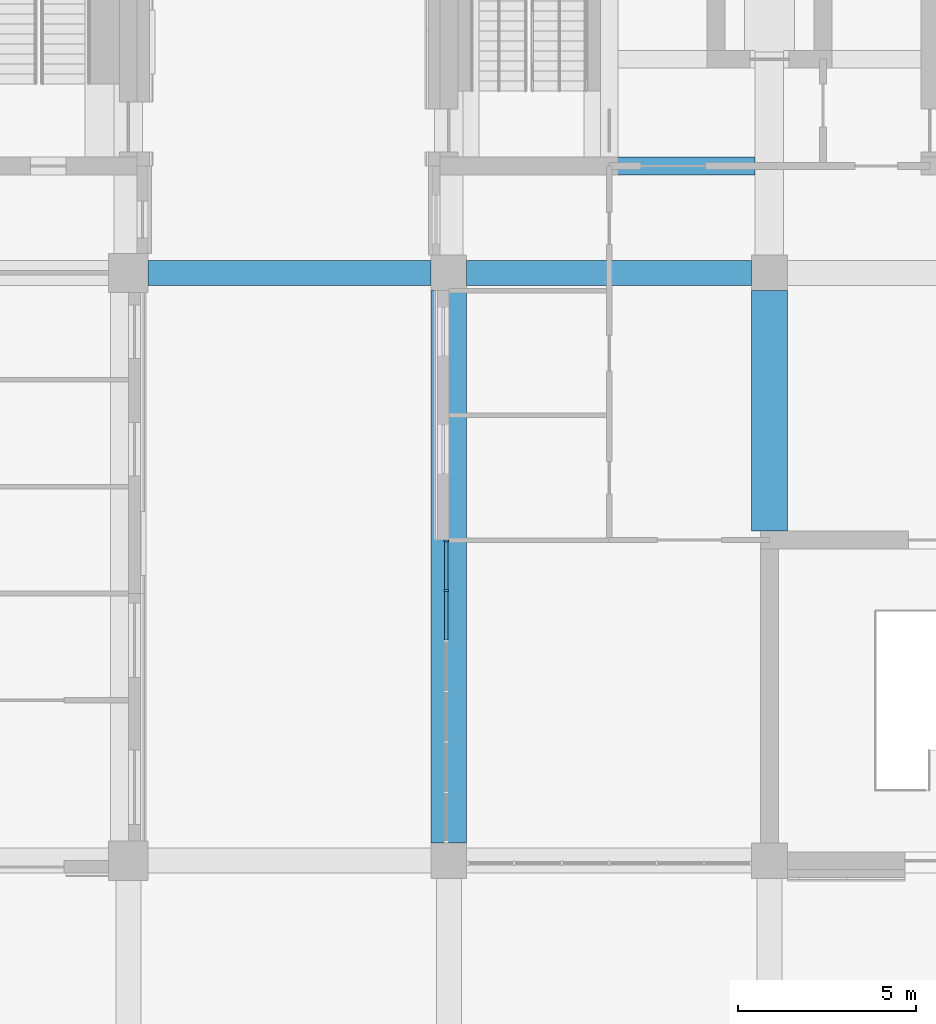
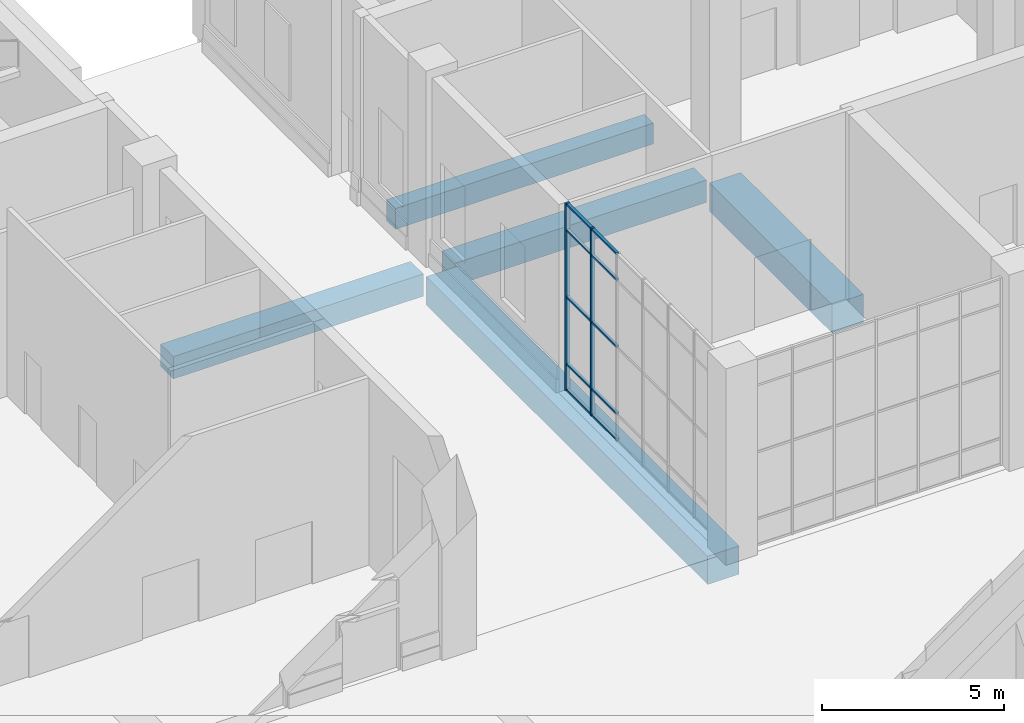
# One storey, part 4 of 35: 12 members, 5 beams, 1 element without a shape of its own.
"""IFC4 building model written with IfcOpenShell, lengths in metres."""

from ifc_helpers import new_model, si_unit, direction, frame, origin, origin_2d, place, context, subcontext, project, spatial, rectangle, extrude, material, layer, layer_set, material_profile, profile_set, type_object, element, aggregate, save


model = new_model("IFC4")

# Units and contexts
model_context = context("Model", 3, precision=1e-05, world=origin(), true_north=direction((0.0, 1.0)))
body_context = subcontext(model_context, "Body", "Model", "MODEL_VIEW")
ifc_project = project(units=[si_unit("LENGTHUNIT", "METRE"), si_unit("AREAUNIT", "SQUARE_METRE"), si_unit("VOLUMEUNIT", "CUBIC_METRE"), si_unit("PLANEANGLEUNIT", "RADIAN"), si_unit("MASSUNIT", "GRAM", prefix="KILO")], contexts=[model_context])

# Site, building, storey
site_placement = place(None, origin())
site = spatial("IfcSite", under=ifc_project, at=site_placement, CompositionType="ELEMENT")
building_placement = place(site_placement, origin())
building = spatial("IfcBuilding", under=site, at=building_placement, Name="Aurelan Courthouse", CompositionType="ELEMENT")
storey_placement = place(building_placement, origin())
storey = spatial("IfcBuildingStorey", under=building, at=storey_placement, Name="L00", CompositionType="ELEMENT", Elevation=0.0)

# Curtain wall, members
ifc_material_1 = material(Name="Bronze-finished aluminium and glass", Category="aluminium")
ifc_layer = layer(ifc_material_1, 0.14990234375)
ifc_layer_set = layer_set([ifc_layer], Name="Bronze-finished aluminium and glass")
curtain_wall_type = type_object("IfcCurtainWallType", Name="Curtain wall 8500 x 6300", PredefinedType="NOTDEFINED", material=ifc_layer_set)
curtain_wall_placement = place(storey_placement, origin())
curtain_wall = element("IfcCurtainWall", 1, at=curtain_wall_placement, inside=storey, type_object=curtain_wall_type, Name="Curtain wall CW-V3-L00-W01", PredefinedType="NOTDEFINED")
ifc_material_2 = material(Name="Bronze-finished aluminium", Category="aluminium")
ifc_material_profile_1 = material_profile(ifc_material_2, rectangle(XDim=0.125, YDim=0.06005859375, at=origin_2d()), Name="Bronze mullion 60 x 125")
ifc_profile_set_1 = profile_set([ifc_material_profile_1], Name="Bronze-finished aluminium")
member_type_1 = type_object("IfcMemberType", Name="Curtain wall mullion 60 x 125", PredefinedType="MULLION", material=ifc_profile_set_1)
member_1_placement = place(storey_placement, frame((71.925048828125, 45.083251953125, 0.0), z_axis=(0.0, 0.0, 1.0), x_axis=(-1.0, 0.0, 0.0)))
member_1 = element("IfcMember", 2, at=member_1_placement, type_object=member_type_1, Name="CW-V3-L00-W01 mullion 6", PredefinedType="MULLION", context=body_context, shape_type="SweptSolid", body=[
    extrude(rectangle(XDim=0.125, YDim=0.06005859375, at=origin_2d()), origin(), (0.0, 0.0, 1.0), 6.300048828125),
])
member_2_placement = place(storey_placement, frame((71.925048828125, 46.469970703125, 0.0), z_axis=(0.0, 0.0, 1.0), x_axis=(-1.0, 0.0, 0.0)))
member_2 = element("IfcMember", 3, at=member_2_placement, type_object=member_type_1, Name="CW-V3-L00-W01 mullion 7", PredefinedType="MULLION", context=body_context, shape_type="SweptSolid", body=[
    extrude(rectangle(XDim=0.125, YDim=0.06005859375, at=origin_2d()), origin(), (0.0, 0.0, 1.0), 6.300048828125),
])
ifc_material_profile_2 = material_profile(ifc_material_2, rectangle(XDim=0.090087890625, YDim=0.06005859375, at=origin_2d()), Name="Bronze transom 60 x 90")
ifc_profile_set_2 = profile_set([ifc_material_profile_2], Name="Bronze-finished aluminium")
member_type_2 = type_object("IfcMemberType", Name="Curtain wall transom 60 x 90", PredefinedType="USERDEFINED", material=ifc_profile_set_2)
member_3_placement = place(storey_placement, frame((71.925048828125, 43.69677734375, 0.030029296875), z_axis=(0.0, 1.0, 0.0), x_axis=(-1.0, 0.0, 0.0)))
member_3 = element("IfcMember", 4, at=member_3_placement, type_object=member_type_2, Name="CW-V3-L00-W01 transom 5.1", ObjectType="TRANSOM", PredefinedType="USERDEFINED", context=body_context, shape_type="SweptSolid", body=[
    extrude(rectangle(XDim=0.090087890625, YDim=0.06005859375, at=origin_2d()), origin(), (0.0, 0.0, 1.0), 1.3564453125),
])
member_4_placement = place(storey_placement, frame((71.925048828125, 43.69677734375, 0.89990234375), z_axis=(0.0, 1.0, 0.0), x_axis=(-1.0, 0.0, 0.0)))
member_4 = element("IfcMember", 5, at=member_4_placement, type_object=member_type_2, Name="CW-V3-L00-W01 transom 5.2", ObjectType="TRANSOM", PredefinedType="USERDEFINED", context=body_context, shape_type="SweptSolid", body=[
    extrude(rectangle(XDim=0.090087890625, YDim=0.06005859375, at=origin_2d()), origin(), (0.0, 0.0, 1.0), 1.3564453125),
])
member_5_placement = place(storey_placement, frame((71.925048828125, 43.69677734375, 3.14990234375), z_axis=(0.0, 1.0, 0.0), x_axis=(-1.0, 0.0, 0.0)))
member_5 = element("IfcMember", 6, at=member_5_placement, type_object=member_type_2, Name="CW-V3-L00-W01 transom 5.3", ObjectType="TRANSOM", PredefinedType="USERDEFINED", context=body_context, shape_type="SweptSolid", body=[
    extrude(rectangle(XDim=0.090087890625, YDim=0.06005859375, at=origin_2d()), origin(), (0.0, 0.0, 1.0), 1.3564453125),
])
member_6_placement = place(storey_placement, frame((71.925048828125, 43.69677734375, 5.39990234375), z_axis=(0.0, 1.0, 0.0), x_axis=(-1.0, 0.0, 0.0)))
member_6 = element("IfcMember", 7, at=member_6_placement, type_object=member_type_2, Name="CW-V3-L00-W01 transom 5.4", ObjectType="TRANSOM", PredefinedType="USERDEFINED", context=body_context, shape_type="SweptSolid", body=[
    extrude(rectangle(XDim=0.090087890625, YDim=0.06005859375, at=origin_2d()), origin(), (0.0, 0.0, 1.0), 1.3564453125),
])
member_7_placement = place(storey_placement, frame((71.925048828125, 43.69677734375, 6.27001953125), z_axis=(0.0, 1.0, 0.0), x_axis=(-1.0, 0.0, 0.0)))
member_7 = element("IfcMember", 8, at=member_7_placement, type_object=member_type_2, Name="CW-V3-L00-W01 transom 5.5", ObjectType="TRANSOM", PredefinedType="USERDEFINED", context=body_context, shape_type="SweptSolid", body=[
    extrude(rectangle(XDim=0.090087890625, YDim=0.06005859375, at=origin_2d()), origin(), (0.0, 0.0, 1.0), 1.3564453125),
])
member_8_placement = place(storey_placement, frame((71.925048828125, 45.11328125, 0.030029296875), z_axis=(0.0, 1.0, 0.0), x_axis=(-1.0, 0.0, 0.0)))
member_8 = element("IfcMember", 9, at=member_8_placement, type_object=member_type_2, Name="CW-V3-L00-W01 transom 6.1", ObjectType="TRANSOM", PredefinedType="USERDEFINED", context=body_context, shape_type="SweptSolid", body=[
    extrude(rectangle(XDim=0.090087890625, YDim=0.06005859375, at=origin_2d()), origin(), (0.0, 0.0, 1.0), 1.32666015625),
])
member_9_placement = place(storey_placement, frame((71.925048828125, 45.11328125, 0.89990234375), z_axis=(0.0, 1.0, 0.0), x_axis=(-1.0, 0.0, 0.0)))
member_9 = element("IfcMember", 10, at=member_9_placement, type_object=member_type_2, Name="CW-V3-L00-W01 transom 6.2", ObjectType="TRANSOM", PredefinedType="USERDEFINED", context=body_context, shape_type="SweptSolid", body=[
    extrude(rectangle(XDim=0.090087890625, YDim=0.06005859375, at=origin_2d()), origin(), (0.0, 0.0, 1.0), 1.32666015625),
])
member_10_placement = place(storey_placement, frame((71.925048828125, 45.11328125, 3.14990234375), z_axis=(0.0, 1.0, 0.0), x_axis=(-1.0, 0.0, 0.0)))
member_10 = element("IfcMember", 11, at=member_10_placement, type_object=member_type_2, Name="CW-V3-L00-W01 transom 6.3", ObjectType="TRANSOM", PredefinedType="USERDEFINED", context=body_context, shape_type="SweptSolid", body=[
    extrude(rectangle(XDim=0.090087890625, YDim=0.06005859375, at=origin_2d()), origin(), (0.0, 0.0, 1.0), 1.32666015625),
])
member_11_placement = place(storey_placement, frame((71.925048828125, 45.11328125, 5.39990234375), z_axis=(0.0, 1.0, 0.0), x_axis=(-1.0, 0.0, 0.0)))
member_11 = element("IfcMember", 12, at=member_11_placement, type_object=member_type_2, Name="CW-V3-L00-W01 transom 6.4", ObjectType="TRANSOM", PredefinedType="USERDEFINED", context=body_context, shape_type="SweptSolid", body=[
    extrude(rectangle(XDim=0.090087890625, YDim=0.06005859375, at=origin_2d()), origin(), (0.0, 0.0, 1.0), 1.32666015625),
])
member_12_placement = place(storey_placement, frame((71.925048828125, 45.11328125, 6.27001953125), z_axis=(0.0, 1.0, 0.0), x_axis=(-1.0, 0.0, 0.0)))
member_12 = element("IfcMember", 13, at=member_12_placement, type_object=member_type_2, Name="CW-V3-L00-W01 transom 6.5", ObjectType="TRANSOM", PredefinedType="USERDEFINED", context=body_context, shape_type="SweptSolid", body=[
    extrude(rectangle(XDim=0.090087890625, YDim=0.06005859375, at=origin_2d()), origin(), (0.0, 0.0, 1.0), 1.32666015625),
])
aggregate(curtain_wall, [member_1, member_2, member_3, member_4, member_5, member_6, member_7, member_8, member_9, member_10, member_11, member_12])

# Beams
ifc_material_3 = material(Name="Concrete C50", Category="concrete")
ifc_material_profile_3 = material_profile(ifc_material_3, rectangle(XDim=0.699951171875, YDim=0.75, at=origin_2d()), Name="RC 700 x 750")
ifc_profile_set_3 = profile_set([ifc_material_profile_3], Name="Concrete C50")
beam_type_1 = type_object("IfcBeamType", Name="PT beam 700 x 750", PredefinedType="BEAM", material=ifc_profile_set_3)
beam_1_placement = place(storey_placement, frame((63.550048828125, 54.0, -0.675048828125), z_axis=(1.0, 0.0, 0.0), x_axis=(0.0, 1.0, 0.0)))
element("IfcBeam", 14, at=beam_1_placement, inside=storey, type_object=beam_type_1, Name="Beam EB-E-8-9", PredefinedType="BEAM", context=body_context, shape_type="SweptSolid", body=[
    extrude(rectangle(XDim=0.699951171875, YDim=0.75, at=origin_2d()), origin(), (0.0, 0.0, 1.0), 7.949951171875),
])
beam_2_placement = place(storey_placement, frame((72.5, 54.0, -0.675048828125), z_axis=(1.0, 0.0, 0.0), x_axis=(0.0, 1.0, 0.0)))
element("IfcBeam", 15, at=beam_2_placement, inside=storey, type_object=beam_type_1, Name="Beam EB-E-9-10", PredefinedType="BEAM", context=body_context, shape_type="SweptSolid", body=[
    extrude(rectangle(XDim=0.699951171875, YDim=0.75, at=origin_2d()), origin(), (0.0, 0.0, 1.0), 8.0),
])
ifc_material_profile_4 = material_profile(ifc_material_3, rectangle(XDim=1.0, YDim=0.949951171875, at=origin_2d()), Name="RC 1000 x 950")
ifc_profile_set_4 = profile_set([ifc_material_profile_4], Name="Concrete C50")
beam_type_2 = type_object("IfcBeamType", Name="PT girder 1000 x 950", PredefinedType="BEAM", material=ifc_profile_set_4)
beam_3_placement = place(storey_placement, frame((72.0, 38.0, -0.77490234375), z_axis=(0.0, 1.0, 0.0), x_axis=(-1.0, 0.0, 0.0)))
element("IfcBeam", 16, at=beam_3_placement, inside=storey, type_object=beam_type_2, Name="Girder GB-9DE", PredefinedType="BEAM", context=body_context, shape_type="SweptSolid", body=[
    extrude(rectangle(XDim=1.0, YDim=0.949951171875, at=origin_2d()), origin(), (0.0, 0.0, 1.0), 15.5),
])
beam_4_placement = place(storey_placement, frame((81.0, 46.75, -0.77490234375), z_axis=(0.0, 1.0, 0.0), x_axis=(-1.0, 0.0, 0.0)))
element("IfcBeam", 17, at=beam_4_placement, inside=storey, type_object=beam_type_2, Name="Girder GB-10DE", PredefinedType="BEAM", context=body_context, shape_type="SweptSolid", body=[
    extrude(rectangle(XDim=1.0, YDim=0.949951171875, at=origin_2d()), origin(), (0.0, 0.0, 1.0), 6.75),
])
ifc_material_4 = material(Name="Concrete C40", Category="concrete")
ifc_material_profile_5 = material_profile(ifc_material_4, rectangle(XDim=0.5, YDim=0.699951171875, at=origin_2d()), Name="RC 500 x 700")
ifc_profile_set_5 = profile_set([ifc_material_profile_5], Name="Concrete C40")
beam_type_3 = type_object("IfcBeamType", Name="RC wall beam 500 x 700", PredefinedType="BEAM", material=ifc_profile_set_5)
beam_5_placement = place(storey_placement, frame((72.39990234375, 57.0, -0.64990234375), z_axis=(1.0, 0.0, 0.0), x_axis=(0.0, 1.0, 0.0)))
element("IfcBeam", 18, at=beam_5_placement, inside=storey, type_object=beam_type_3, Name="Wall beam WB-L00-011", PredefinedType="BEAM", context=body_context, shape_type="SweptSolid", body=[
    extrude(rectangle(XDim=0.5, YDim=0.699951171875, at=origin_2d()), origin(), (0.0, 0.0, 1.0), 8.2001953125),
])

save(model, "model.ifc")
